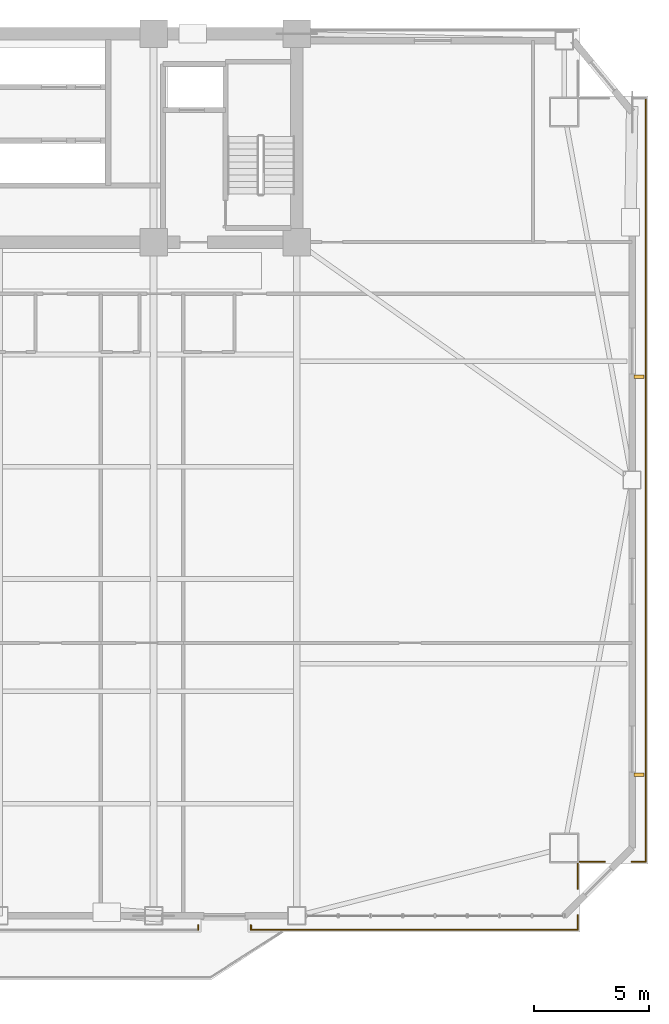
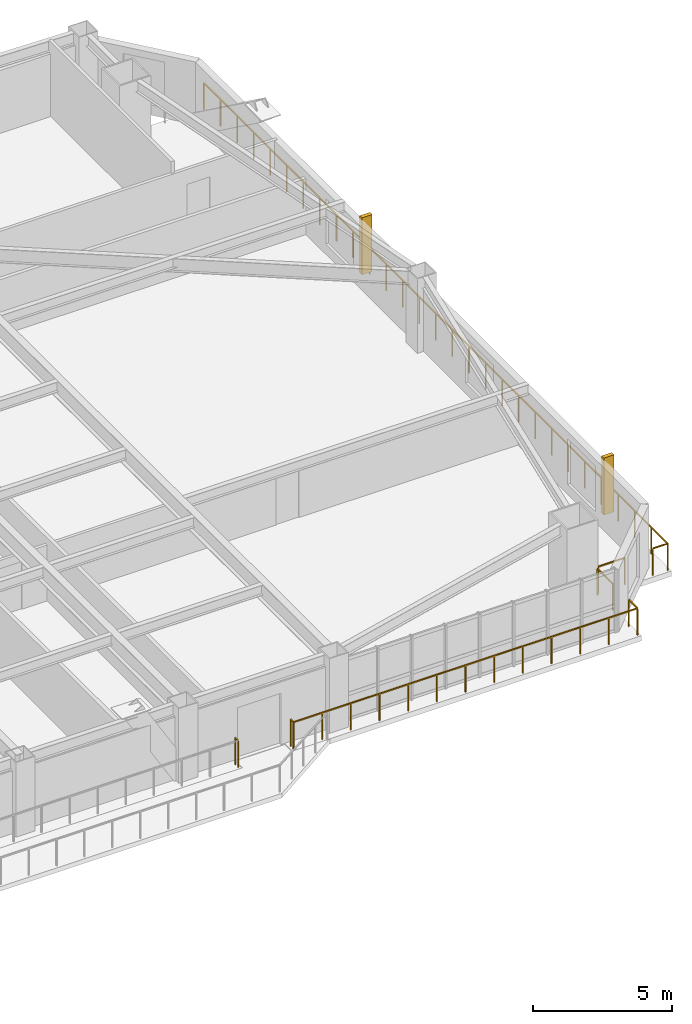
# One storey, part 15 of 17: 8 railings, 2 shading devices.
"""IFC4 building model written with IfcOpenShell, lengths in metres."""

from ifc_helpers import new_model, si_unit, direction, frame, origin, origin_2d, place, context, subcontext, project, spatial, rectangle, extrude, source, transform, mapped, material, type_object, element, save


model = new_model("IFC4")

# Units and contexts
model_context = context("Model", 3, precision=1e-05, world=origin(), true_north=direction((0.0, 1.0)))
body_context = subcontext(model_context, "Body", "Model", "MODEL_VIEW")
ifc_project = project(units=[si_unit("LENGTHUNIT", "METRE"), si_unit("AREAUNIT", "SQUARE_METRE"), si_unit("VOLUMEUNIT", "CUBIC_METRE"), si_unit("PLANEANGLEUNIT", "RADIAN"), si_unit("MASSUNIT", "GRAM", prefix="KILO")], contexts=[model_context])

# Site, building, storey
site_placement = place(None, origin())
site = spatial("IfcSite", under=ifc_project, at=site_placement, CompositionType="ELEMENT")
building_placement = place(site_placement, origin())
building = spatial("IfcBuilding", under=site, at=building_placement, Name="Giltprow Tower", CompositionType="ELEMENT")
storey_placement = place(building_placement, frame((0.0, 0.0, 137.699951171875)))
storey = spatial("IfcBuildingStorey", under=building, at=storey_placement, Name="L33", CompositionType="ELEMENT", Elevation=137.699951171875)

# Railings
ifc_material = material(Name="Anodized bronze", Category="metal")
railing_type = type_object("IfcRailingType", Name="RAIL-BALC-GUARD-1200", PredefinedType="BALUSTRADE", material=ifc_material)
railing_1_placement = place(storey_placement, frame((65.785888671875, 43.73388671875, 0.0)))
element("IfcRailing", 1, at=railing_1_placement, inside=storey, type_object=railing_type, Name="L33 Corner Apron Edge Balustrade 14", PredefinedType="BALUSTRADE", context=body_context, shape_type="SweptSolid", body=[
    extrude(rectangle(XDim=0.048095703125, YDim=0.048095703125, at=origin_2d()), frame((0.0, 0.0, 1.17578125), z_axis=(0.0, -1.0, 0.0), x_axis=(1.0, 0.0, 0.0)), (0.0, 0.0, 1.0), 33.324951171875),
    extrude(rectangle(XDim=0.0419921875, YDim=0.0419921875, at=origin_2d()), origin(), (0.0, 0.0, 1.0), 1.15185546875),
    extrude(rectangle(XDim=0.0419921875, YDim=0.0419921875, at=origin_2d()), frame((0.0, -1.190185546875, 0.0)), (0.0, 0.0, 1.0), 1.15185546875),
    extrude(rectangle(XDim=0.0419921875, YDim=0.0419921875, at=origin_2d()), frame((0.0, -2.38037109375, 0.0)), (0.0, 0.0, 1.0), 1.15185546875),
    extrude(rectangle(XDim=0.0419921875, YDim=0.0419921875, at=origin_2d()), frame((0.0, -3.570556640625, 0.0)), (0.0, 0.0, 1.0), 1.15185546875),
    extrude(rectangle(XDim=0.0419921875, YDim=0.0419921875, at=origin_2d()), frame((0.0, -4.7607421875, 0.0)), (0.0, 0.0, 1.0), 1.15185546875),
    extrude(rectangle(XDim=0.0419921875, YDim=0.0419921875, at=origin_2d()), frame((0.0, -5.950927734375, 0.0)), (0.0, 0.0, 1.0), 1.15185546875),
    extrude(rectangle(XDim=0.0419921875, YDim=0.0419921875, at=origin_2d()), frame((0.0, -7.14111328125, 0.0)), (0.0, 0.0, 1.0), 1.15185546875),
    extrude(rectangle(XDim=0.0419921875, YDim=0.0419921875, at=origin_2d()), frame((0.0, -8.331298828125, 0.0)), (0.0, 0.0, 1.0), 1.15185546875),
    extrude(rectangle(XDim=0.0419921875, YDim=0.0419921875, at=origin_2d()), frame((0.0, -9.521484375, 0.0)), (0.0, 0.0, 1.0), 1.15185546875),
    extrude(rectangle(XDim=0.0419921875, YDim=0.0419921875, at=origin_2d()), frame((0.0, -10.711669921875, 0.0)), (0.0, 0.0, 1.0), 1.15185546875),
    extrude(rectangle(XDim=0.0419921875, YDim=0.0419921875, at=origin_2d()), frame((0.0, -11.90185546875, 0.0)), (0.0, 0.0, 1.0), 1.15185546875),
    extrude(rectangle(XDim=0.0419921875, YDim=0.0419921875, at=origin_2d()), frame((0.0, -13.092041015625, 0.0)), (0.0, 0.0, 1.0), 1.15185546875),
    extrude(rectangle(XDim=0.0419921875, YDim=0.0419921875, at=origin_2d()), frame((0.0, -14.2822265625, 0.0)), (0.0, 0.0, 1.0), 1.15185546875),
    extrude(rectangle(XDim=0.0419921875, YDim=0.0419921875, at=origin_2d()), frame((0.0, -15.472412109375, 0.0)), (0.0, 0.0, 1.0), 1.15185546875),
    extrude(rectangle(XDim=0.0419921875, YDim=0.0419921875, at=origin_2d()), frame((0.0, -16.66259765625, 0.0)), (0.0, 0.0, 1.0), 1.15185546875),
    extrude(rectangle(XDim=0.0419921875, YDim=0.0419921875, at=origin_2d()), frame((0.0, -17.8525390625, 0.0)), (0.0, 0.0, 1.0), 1.15185546875),
    extrude(rectangle(XDim=0.0419921875, YDim=0.0419921875, at=origin_2d()), frame((0.0, -19.042724609375, 0.0)), (0.0, 0.0, 1.0), 1.15185546875),
    extrude(rectangle(XDim=0.0419921875, YDim=0.0419921875, at=origin_2d()), frame((0.0, -20.23291015625, 0.0)), (0.0, 0.0, 1.0), 1.15185546875),
    extrude(rectangle(XDim=0.0419921875, YDim=0.0419921875, at=origin_2d()), frame((0.0, -21.423095703125, 0.0)), (0.0, 0.0, 1.0), 1.15185546875),
    extrude(rectangle(XDim=0.0419921875, YDim=0.0419921875, at=origin_2d()), frame((0.0, -22.61328125, 0.0)), (0.0, 0.0, 1.0), 1.15185546875),
    extrude(rectangle(XDim=0.0419921875, YDim=0.0419921875, at=origin_2d()), frame((0.0, -23.803466796875, 0.0)), (0.0, 0.0, 1.0), 1.15185546875),
    extrude(rectangle(XDim=0.0419921875, YDim=0.0419921875, at=origin_2d()), frame((0.0, -24.99365234375, 0.0)), (0.0, 0.0, 1.0), 1.15185546875),
    extrude(rectangle(XDim=0.0419921875, YDim=0.0419921875, at=origin_2d()), frame((0.0, -26.183837890625, 0.0)), (0.0, 0.0, 1.0), 1.15185546875),
    extrude(rectangle(XDim=0.0419921875, YDim=0.0419921875, at=origin_2d()), frame((0.0, -27.3740234375, 0.0)), (0.0, 0.0, 1.0), 1.15185546875),
    extrude(rectangle(XDim=0.0419921875, YDim=0.0419921875, at=origin_2d()), frame((0.0, -28.564208984375, 0.0)), (0.0, 0.0, 1.0), 1.15185546875),
    extrude(rectangle(XDim=0.0419921875, YDim=0.0419921875, at=origin_2d()), frame((0.0, -29.75439453125, 0.0)), (0.0, 0.0, 1.0), 1.15185546875),
    extrude(rectangle(XDim=0.0419921875, YDim=0.0419921875, at=origin_2d()), frame((0.0, -30.944580078125, 0.0)), (0.0, 0.0, 1.0), 1.15185546875),
    extrude(rectangle(XDim=0.0419921875, YDim=0.0419921875, at=origin_2d()), frame((0.0, -32.134765625, 0.0)), (0.0, 0.0, 1.0), 1.15185546875),
    extrude(rectangle(XDim=0.0419921875, YDim=0.0419921875, at=origin_2d()), frame((0.0, -33.324951171875, 0.0)), (0.0, 0.0, 1.0), 1.15185546875),
])
railing_2_placement = place(storey_placement, frame((65.785888671875, 10.408935546875, 0.0)))
element("IfcRailing", 2, at=railing_2_placement, inside=storey, type_object=railing_type, Name="L33 Corner Apron Edge Balustrade 15", PredefinedType="BALUSTRADE", context=body_context, shape_type="SweptSolid", body=[
    extrude(rectangle(XDim=0.048095703125, YDim=0.048095703125, at=origin_2d()), frame((0.0, 0.0, 1.17578125), z_axis=(-1.0, 0.0, 0.0), x_axis=(0.0, -1.0, 0.0)), (0.0, 0.0, 1.0), 0.620849609375),
    extrude(rectangle(XDim=0.0419921875, YDim=0.0419921875, at=origin_2d()), origin(), (0.0, 0.0, 1.0), 1.15185546875),
    extrude(rectangle(XDim=0.0419921875, YDim=0.0419921875, at=origin_2d()), frame((-0.620849609375, 0.0, 0.0)), (0.0, 0.0, 1.0), 1.15185546875),
])
railing_3_placement = place(storey_placement, frame((64.0048828125, 10.408935546875, 0.0)))
element("IfcRailing", 3, at=railing_3_placement, inside=storey, type_object=railing_type, Name="L33 Corner Apron Edge Balustrade 16", PredefinedType="BALUSTRADE", context=body_context, shape_type="SweptSolid", body=[
    extrude(rectangle(XDim=0.048095703125, YDim=0.048095703125, at=origin_2d()), frame((0.0, 0.0, 1.17578125), z_axis=(-1.0, 0.0, 0.0), x_axis=(0.0, -1.0, 0.0)), (0.0, 0.0, 1.0), 1.098876953125),
    extrude(rectangle(XDim=0.0419921875, YDim=0.0419921875, at=origin_2d()), origin(), (0.0, 0.0, 1.0), 1.15185546875),
    extrude(rectangle(XDim=0.0419921875, YDim=0.0419921875, at=origin_2d()), frame((-1.098876953125, 0.0, 0.0)), (0.0, 0.0, 1.0), 1.15185546875),
])
railing_4_placement = place(storey_placement, frame((62.821044921875, 10.324951171875, 0.0)))
element("IfcRailing", 4, at=railing_4_placement, inside=storey, type_object=railing_type, Name="L33 Corner Apron Edge Balustrade 17", PredefinedType="BALUSTRADE", context=body_context, shape_type="SweptSolid", body=[
    extrude(rectangle(XDim=0.048095703125, YDim=0.048095703125, at=origin_2d()), frame((0.0, 0.0, 1.17578125), z_axis=(0.0, -1.0, 0.0), x_axis=(1.0, 0.0, 0.0)), (0.0, 0.0, 1.0), 1.099853515625),
    extrude(rectangle(XDim=0.0419921875, YDim=0.0419921875, at=origin_2d()), origin(), (0.0, 0.0, 1.0), 1.15185546875),
    extrude(rectangle(XDim=0.0419921875, YDim=0.0419921875, at=origin_2d()), frame((0.0, -1.099853515625, 0.0)), (0.0, 0.0, 1.0), 1.15185546875),
])
railing_5_placement = place(storey_placement, frame((62.821044921875, 8.06494140625, 0.0)))
element("IfcRailing", 5, at=railing_5_placement, inside=storey, type_object=railing_type, Name="L33 Corner Apron Edge Balustrade 18", PredefinedType="BALUSTRADE", context=body_context, shape_type="SweptSolid", body=[
    extrude(rectangle(XDim=0.048095703125, YDim=0.048095703125, at=origin_2d()), frame((0.0, 0.0, 1.17578125), z_axis=(0.0, -1.0, 0.0), x_axis=(1.0, 0.0, 0.0)), (0.0, 0.0, 1.0), 0.619873046875),
    extrude(rectangle(XDim=0.0419921875, YDim=0.0419921875, at=origin_2d()), origin(), (0.0, 0.0, 1.0), 1.15185546875),
    extrude(rectangle(XDim=0.0419921875, YDim=0.0419921875, at=origin_2d()), frame((0.0, -0.619873046875, 0.0)), (0.0, 0.0, 1.0), 1.15185546875),
])
railing_6_placement = place(storey_placement, frame((62.821044921875, 7.445068359375, 0.0)))
element("IfcRailing", 6, at=railing_6_placement, inside=storey, type_object=railing_type, Name="L33 Corner Apron Edge Balustrade 19", PredefinedType="BALUSTRADE", context=body_context, shape_type="SweptSolid", body=[
    extrude(rectangle(XDim=0.048095703125, YDim=0.048095703125, at=origin_2d()), frame((0.0, 0.0, 1.17578125), z_axis=(-1.0, 0.0, 0.0), x_axis=(0.0, -1.0, 0.0)), (0.0, 0.0, 1.0), 14.27099609375),
    extrude(rectangle(XDim=0.0419921875, YDim=0.0419921875, at=origin_2d()), origin(), (0.0, 0.0, 1.0), 1.15185546875),
    extrude(rectangle(XDim=0.0419921875, YDim=0.0419921875, at=origin_2d()), frame((-1.189208984375, 0.0, 0.0)), (0.0, 0.0, 1.0), 1.15185546875),
    extrude(rectangle(XDim=0.0419921875, YDim=0.0419921875, at=origin_2d()), frame((-2.37841796875, 0.0, 0.0)), (0.0, 0.0, 1.0), 1.15185546875),
    extrude(rectangle(XDim=0.0419921875, YDim=0.0419921875, at=origin_2d()), frame((-3.56787109375, 0.0, 0.0)), (0.0, 0.0, 1.0), 1.15185546875),
    extrude(rectangle(XDim=0.0419921875, YDim=0.0419921875, at=origin_2d()), frame((-4.757080078125, 0.0, 0.0)), (0.0, 0.0, 1.0), 1.15185546875),
    extrude(rectangle(XDim=0.0419921875, YDim=0.0419921875, at=origin_2d()), frame((-5.9462890625, 0.0, 0.0)), (0.0, 0.0, 1.0), 1.15185546875),
    extrude(rectangle(XDim=0.0419921875, YDim=0.0419921875, at=origin_2d()), frame((-7.135498046875, 0.0, 0.0)), (0.0, 0.0, 1.0), 1.15185546875),
    extrude(rectangle(XDim=0.0419921875, YDim=0.0419921875, at=origin_2d()), frame((-8.32470703125, 0.0, 0.0)), (0.0, 0.0, 1.0), 1.15185546875),
    extrude(rectangle(XDim=0.0419921875, YDim=0.0419921875, at=origin_2d()), frame((-9.513916015625, 0.0, 0.0)), (0.0, 0.0, 1.0), 1.15185546875),
    extrude(rectangle(XDim=0.0419921875, YDim=0.0419921875, at=origin_2d()), frame((-10.703125, 0.0, 0.0)), (0.0, 0.0, 1.0), 1.15185546875),
    extrude(rectangle(XDim=0.0419921875, YDim=0.0419921875, at=origin_2d()), frame((-11.892578125, 0.0, 0.0)), (0.0, 0.0, 1.0), 1.15185546875),
    extrude(rectangle(XDim=0.0419921875, YDim=0.0419921875, at=origin_2d()), frame((-13.081787109375, 0.0, 0.0)), (0.0, 0.0, 1.0), 1.15185546875),
    extrude(rectangle(XDim=0.0419921875, YDim=0.0419921875, at=origin_2d()), frame((-14.27099609375, 0.0, 0.0)), (0.0, 0.0, 1.0), 1.15185546875),
])
railing_7_placement = place(storey_placement, frame((48.550048828125, 7.445068359375, 0.0)))
element("IfcRailing", 7, at=railing_7_placement, inside=storey, type_object=railing_type, Name="L33 Corner Apron Edge Balustrade 20", PredefinedType="BALUSTRADE", context=body_context, shape_type="SweptSolid", body=[
    extrude(rectangle(XDim=0.048095703125, YDim=0.048095703125, at=origin_2d()), frame((0.0, 0.0, 1.17578125), z_axis=(0.0, 1.0, 0.0), x_axis=(-1.0, 0.0, 0.0)), (0.0, 0.0, 1.0), 0.199951171875),
    extrude(rectangle(XDim=0.0419921875, YDim=0.0419921875, at=origin_2d()), origin(), (0.0, 0.0, 1.0), 1.15185546875),
    extrude(rectangle(XDim=0.0419921875, YDim=0.0419921875, at=origin_2d()), frame((0.0, 0.199951171875, 0.0)), (0.0, 0.0, 1.0), 1.15185546875),
])
railing_8_placement = place(storey_placement, frame((46.25, 7.64501953125, 0.0)))
element("IfcRailing", 8, at=railing_8_placement, inside=storey, type_object=railing_type, Name="L33 Corner Apron Edge Balustrade 21", PredefinedType="BALUSTRADE", context=body_context, shape_type="SweptSolid", body=[
    extrude(rectangle(XDim=0.048095703125, YDim=0.048095703125, at=origin_2d()), frame((0.0, 0.0, 1.17578125), z_axis=(0.0, -1.0, 0.0), x_axis=(1.0, 0.0, 0.0)), (0.0, 0.0, 1.0), 0.199951171875),
    extrude(rectangle(XDim=0.0419921875, YDim=0.0419921875, at=origin_2d()), origin(), (0.0, 0.0, 1.0), 1.15185546875),
    extrude(rectangle(XDim=0.0419921875, YDim=0.0419921875, at=origin_2d()), frame((0.0, -0.199951171875, 0.0)), (0.0, 0.0, 1.0), 1.15185546875),
])

# Shading devices
shading_device_type = type_object("IfcShadingDeviceType", Name="SHD-FIN-420", PredefinedType="USERDEFINED", material=ifc_material)
shared_shape = source(origin(), body_context, "Body", "SweptSolid", [
    extrude(rectangle(XDim=0.419921875, YDim=0.159912109375, at=origin_2d()), origin(), (0.0, 0.0, 1.0), 2.5),
])
for number, where, z_axis, x_axis, name in (
    (9, (65.486083984375, 14.201904296875, 0.35009765625), (0.0, 0.0, 1.0), (1.0, 0.0, 0.0), "L33 E Bronze Vertical Fin 1-1"),
    (10, (65.486083984375, 31.5791015625, 0.35009765625), (0.0, 0.0, 1.0), (1.0, 0.0, 0.0), "L33 E Bronze Vertical Fin 2-1"),
):
    element("IfcShadingDevice", number, at=place(storey_placement, frame(where, z_axis=z_axis, x_axis=x_axis)), inside=storey, type_object=shading_device_type, Name=name, ObjectType="FIN", PredefinedType="USERDEFINED", context=body_context, shape_type="MappedRepresentation", body=[
        mapped(shared_shape, transform((0.0, 0.0, 0.0), x_axis=(1.0, 0.0, 0.0), y_axis=(0.0, 1.0, 0.0), z_axis=(0.0, 0.0, 1.0), scale=1.0)),
    ])

save(model, "model.ifc")
